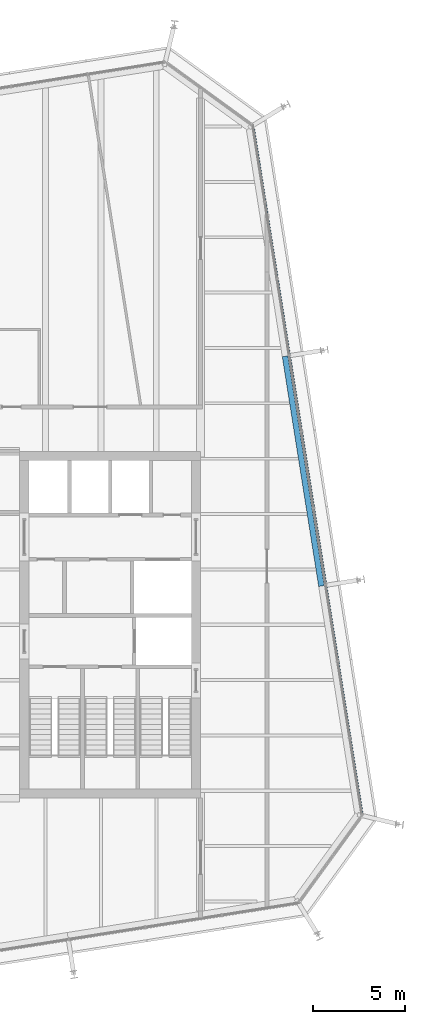
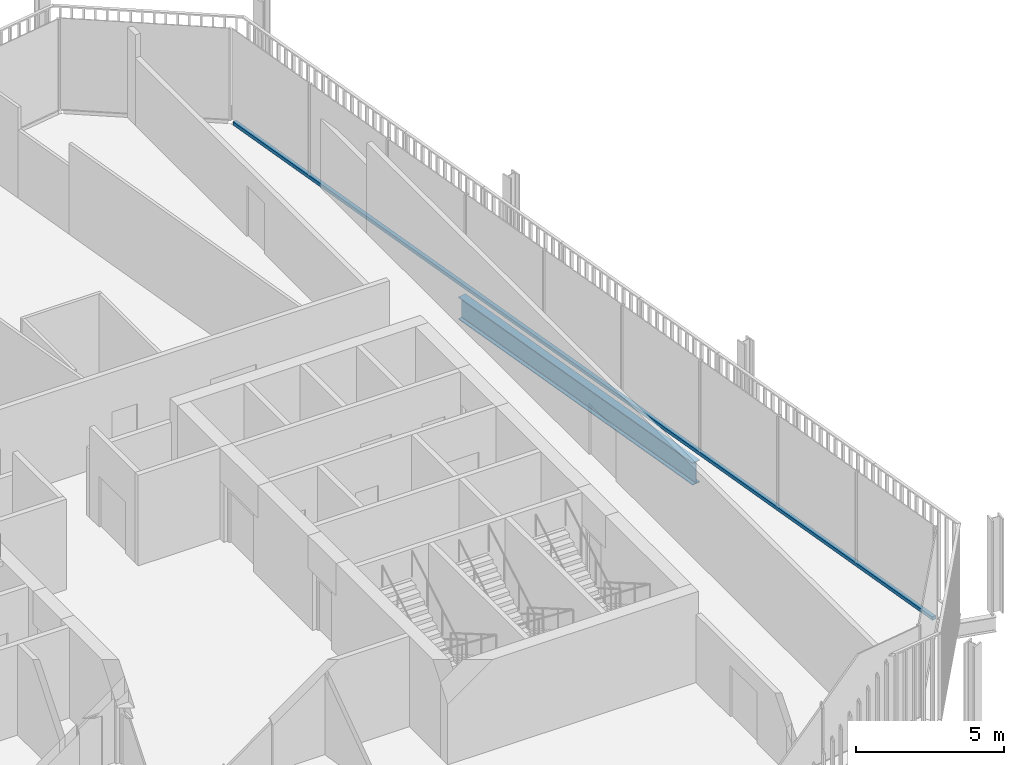
# One storey, part 9 of 20: 1 beam, 1 member, 1 element without a shape of its own.
"""IFC4 building model written with IfcOpenShell, lengths in metres."""

from ifc_helpers import new_model, si_unit, direction, frame, origin, origin_2d, place, context, subcontext, project, spatial, rectangle, i_section, extrude, material, layer, layer_set, material_profile, profile_set, type_object, element, aggregate, save


model = new_model("IFC4")

# Units and contexts
model_context = context("Model", 3, precision=1e-05, world=origin(), true_north=direction((0.0, 1.0)))
body_context = subcontext(model_context, "Body", "Model", "MODEL_VIEW")
ifc_project = project(units=[si_unit("LENGTHUNIT", "METRE"), si_unit("AREAUNIT", "SQUARE_METRE"), si_unit("VOLUMEUNIT", "CUBIC_METRE"), si_unit("PLANEANGLEUNIT", "RADIAN"), si_unit("MASSUNIT", "GRAM", prefix="KILO")], contexts=[model_context])

# Site, building, storey
site_placement = place(None, origin())
site = spatial("IfcSite", under=ifc_project, at=site_placement, CompositionType="ELEMENT")
building_placement = place(site_placement, origin())
building = spatial("IfcBuilding", under=site, at=building_placement, Name="Millrace Tower", CompositionType="ELEMENT")
storey_placement = place(building_placement, frame((0.0, 0.0, 251.300048828125)))
storey = spatial("IfcBuildingStorey", under=building, at=storey_placement, Name="L57", CompositionType="ELEMENT", Elevation=251.300048828125)

# Curtain wall, member
ifc_material_1 = material(Name="Aluminium and glass", Category="aluminium")
ifc_layer = layer(ifc_material_1, 0.14990234375)
ifc_layer_set = layer_set([ifc_layer], Name="Aluminium and glass")
curtain_wall_type = type_object("IfcCurtainWallType", Name="CW-1 office vision curtain wall", PredefinedType="NOTDEFINED", material=ifc_layer_set)
curtain_wall_placement = place(storey_placement, origin())
curtain_wall = element("IfcCurtainWall", 1, at=curtain_wall_placement, inside=storey, type_object=curtain_wall_type, Name="Curtain wall D-F04 L57", PredefinedType="NOTDEFINED")
ifc_material_2 = material(Name="Aluminium", Category="aluminium")
ifc_material_profile_1 = material_profile(ifc_material_2, rectangle(XDim=0.14990234375, YDim=0.139892578125, at=origin_2d()))
ifc_profile_set_1 = profile_set([ifc_material_profile_1], Name="Aluminium")
member_type = type_object("IfcMemberType", Name="CW-1 office vision curtain wall transom", PredefinedType="USERDEFINED", material=ifc_profile_set_1)
member_placement = place(storey_placement, frame((23.1318359375, -10.208740234375, 0.070068359375), z_axis=(-0.156432359726, 0.987688674042, 0.0), x_axis=(-0.987688674042, -0.156432359726, 0.0)))
member = element("IfcMember", 2, at=member_placement, type_object=member_type, Name="CW1 transom D-F04.1", ObjectType="TRANSOM", PredefinedType="USERDEFINED", context=body_context, shape_type="SweptSolid", body=[
    extrude(rectangle(XDim=0.14990234375, YDim=0.139892578125, at=origin_2d()), origin(), (0.0, 0.0, 1.0), 37.599853515625),
])
aggregate(curtain_wall, [member])

# Beam
ifc_material_3 = material(Name="Steel ASTM A992 Grade 50", Category="steel")
ifc_material_profile_2 = material_profile(ifc_material_3, i_section(OverallWidth=0.307373046875, OverallDepth=0.927001953125, WebThickness=0.01953125, FlangeThickness=0.031982421875, FilletRadius=0.01904296875, at=origin_2d()))
ifc_profile_set_2 = profile_set([ifc_material_profile_2], Name="Steel ASTM A992 Grade 50")
beam_type = type_object("IfcBeamType", Name="Ring beam medium span W36x194", PredefinedType="SPANDREL", material=ifc_profile_set_2)
beam_placement = place(storey_placement, frame((18.9794921875, 14.54638671875, -0.62353515625), z_axis=(0.1564441342, -0.987686809102, 0.0), x_axis=(0.987686809102, 0.1564441342, 0.0)))
element("IfcBeam", 3, at=beam_placement, inside=storey, type_object=beam_type, Name="RNG-D-L57-S1-10", PredefinedType="SPANDREL", context=body_context, shape_type="SweptSolid", body=[
    extrude(i_section(OverallWidth=0.307373046875, OverallDepth=0.927001953125, WebThickness=0.01953125, FlangeThickness=0.031982421875, FilletRadius=0.01904296875, at=origin_2d()), origin(), (0.0, 0.0, 1.0), 12.599853515625),
])

save(model, "model.ifc")
